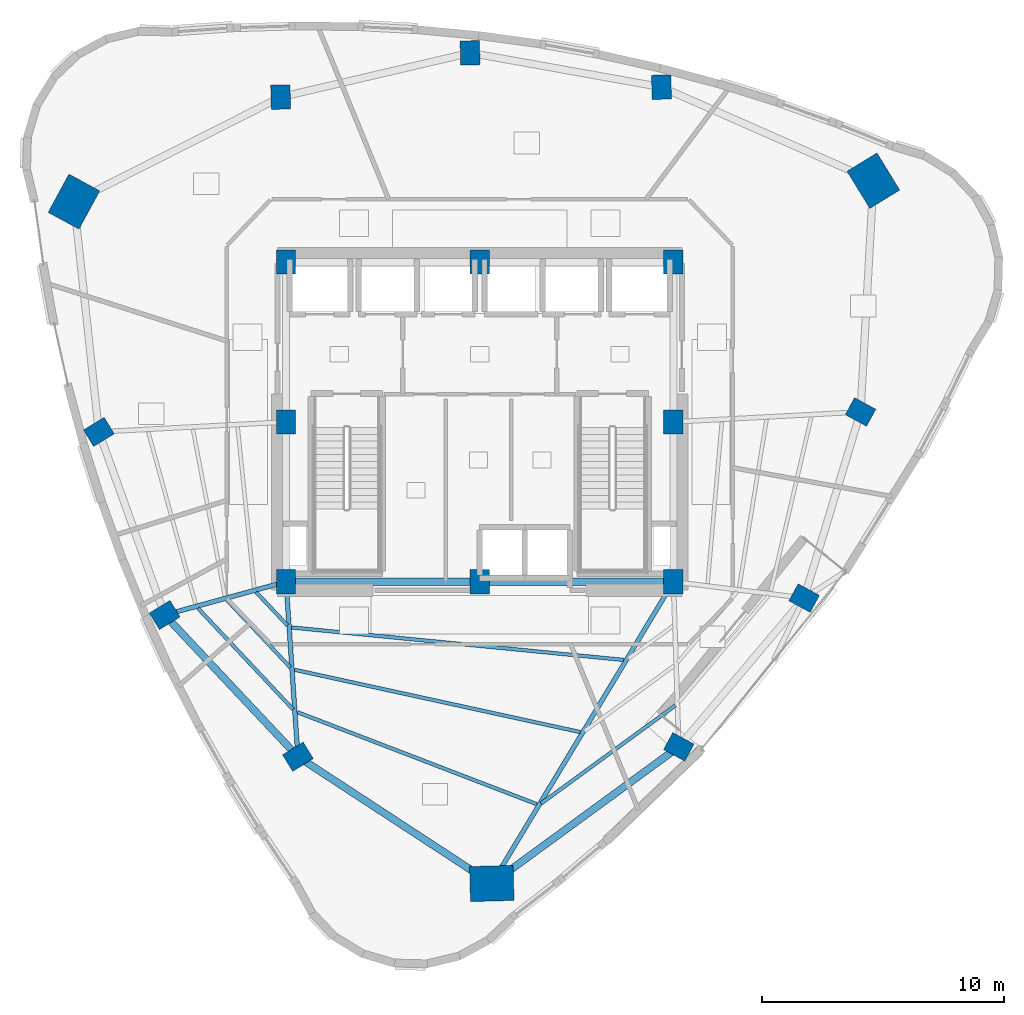
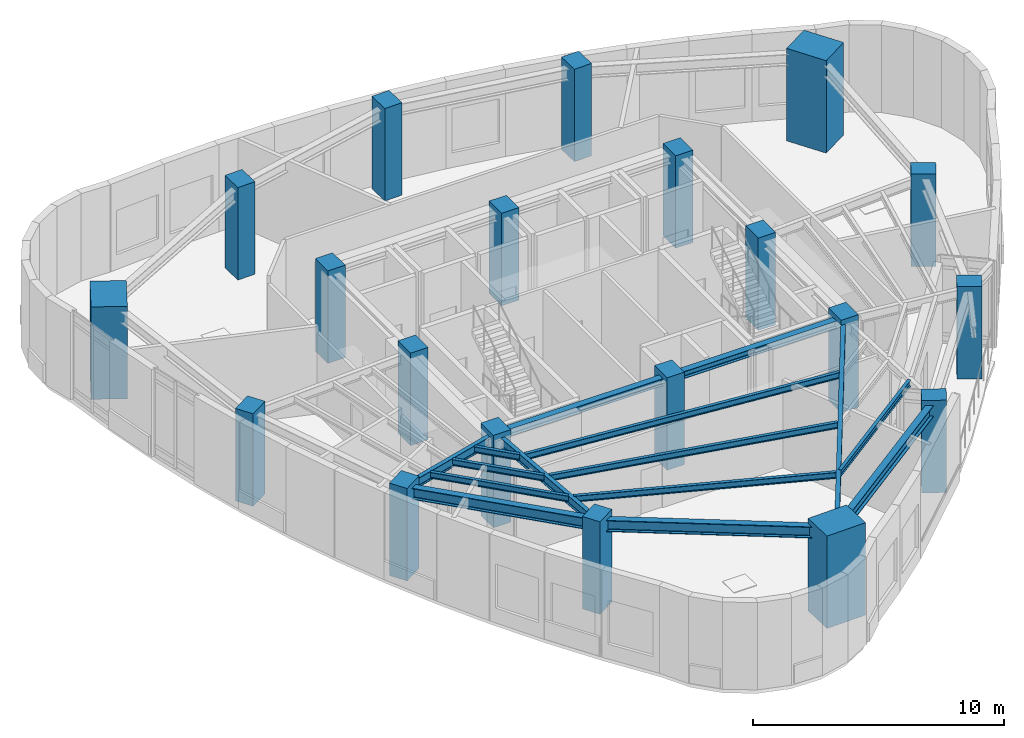
# One storey, part 1 of 14: 20 columns, 15 beams.
"""IFC4 building model written with IfcOpenShell, lengths in metres."""

import ifcopenshell
import ifcopenshell.guid

model = None  # the IFC model being written
_history = None  # IfcOwnerHistory: only IFC2X3 demands one
_inside = {}  # id of a spatial element -> (the spatial element, [elements in it])
_under = {}  # id of a project, library or spatial element -> (it, [spatial elements below it])
_declared = {}  # id of a project -> (the project, [libraries it declares])
_typed = {}  # id of a type object -> (the type object, [elements of that type])
_made_of = {}  # id of a material, layer set ... -> (it, [elements and type objects made of it])


def new_model(schema):
    """Start an empty IFC model of exactly this schema.

    Asked for "IFC4X3", IfcOpenShell would pick the latest addendum, in which some entities
    have other attributes; the version numbers below select the first issue.
    IFC2X3 requires an IfcOwnerHistory on every rooted entity: one is made here for all.
    """
    global model, _history
    if schema == "IFC4X3":
        model = ifcopenshell.file(schema_version=(4, 3, 0, 0))
    else:
        model = ifcopenshell.file(schema=schema)
    _inside.clear()
    _under.clear()
    _declared.clear()
    _typed.clear()
    _made_of.clear()
    _history = None
    if model.schema == "IFC2X3":
        org = make("IfcOrganization", Name="unknown")
        user = make(
            "IfcPersonAndOrganization",
            ThePerson=make("IfcPerson", FamilyName="unknown"),
            TheOrganization=org,
        )
        app = make(
            "IfcApplication",
            ApplicationDeveloper=org,
            Version="unknown",
            ApplicationFullName="unknown",
            ApplicationIdentifier="unknown",
        )
        _history = make(
            "IfcOwnerHistory",
            OwningUser=user,
            OwningApplication=app,
            ChangeAction="ADDED",
            CreationDate=0,
        )
    return model


def make(cls, **values):
    """One entity of the class cls with the attributes given. An attribute that is None is left unset."""
    return model.create_entity(
        cls, **{name: value for name, value in values.items() if value is not None}
    )


def rooted(cls, **values):
    """An entity with a GlobalId (a new one), such as an element, a storey or a relation."""
    return make(cls, GlobalId=ifcopenshell.guid.new(), OwnerHistory=_history, **values)


def si_unit(unit_type, name, prefix=None):
    """IfcSIUnit, for example si_unit("LENGTHUNIT", "METRE", prefix="MILLI")."""
    return make("IfcSIUnit", UnitType=unit_type, Prefix=prefix, Name=name)


def assignment(units):
    """IfcUnitAssignment: the units of a project."""
    return None if units is None else make("IfcUnitAssignment", Units=units)


def point(xyz):
    """IfcCartesianPoint."""
    return None if xyz is None else make("IfcCartesianPoint", Coordinates=xyz)


def direction(xyz):
    """IfcDirection."""
    return None if xyz is None else make("IfcDirection", DirectionRatios=xyz)


def frame(location, z_axis=None, x_axis=None):
    """IfcAxis2Placement3D, a coordinate frame: its origin and axes. An axis left out is left unset."""
    return make(
        "IfcAxis2Placement3D",
        Location=point(location),
        Axis=direction(z_axis),
        RefDirection=direction(x_axis),
    )


def frame_2d(location, x_axis=None):
    """IfcAxis2Placement2D, a coordinate frame in the plane: its origin and x axis."""
    return make(
        "IfcAxis2Placement2D", Location=point(location), RefDirection=direction(x_axis)
    )


def origin():
    """The frame at (0, 0, 0) with its axes left unset."""
    return frame((0.0, 0.0, 0.0))


def origin_2d():
    """The frame at (0, 0) in the plane with its x axis left unset."""
    return frame_2d((0.0, 0.0))


def place(relative_to, where):
    """IfcLocalPlacement: puts the frame where relative to a parent placement (None: the world)."""
    return make(
        "IfcLocalPlacement", PlacementRelTo=relative_to, RelativePlacement=where
    )


def context(
    kind, dimensions, precision=None, world=None, true_north=None, identifier=None
):
    """IfcGeometricRepresentationContext, for example the 3D "Model" context."""
    return make(
        "IfcGeometricRepresentationContext",
        ContextIdentifier=identifier,
        ContextType=kind,
        CoordinateSpaceDimension=dimensions,
        Precision=precision,
        WorldCoordinateSystem=world,
        TrueNorth=true_north,
    )


def subcontext(parent, identifier, kind, view, scale=None):
    """IfcGeometricRepresentationSubContext, for example "Body" below "Model"."""
    return make(
        "IfcGeometricRepresentationSubContext",
        ContextIdentifier=identifier,
        ContextType=kind,
        ParentContext=parent,
        TargetScale=scale,
        TargetView=view,
    )


def project(units=None, contexts=None):
    """IfcProject with its units and contexts."""
    return rooted(
        "IfcProject",
        Name="project",
        RepresentationContexts=contexts,
        UnitsInContext=assignment(units),
    )


def spatial(cls, under=None, at=None, **own):
    """A site, building, storey or space (cls), placed at a placement, below another one or the project."""
    s = rooted(cls, ObjectPlacement=at, **own)
    if under is not None:
        _under.setdefault(under.id(), (under, []))[1].append(s)
    return s


def profile(cls, at=None, kind="AREA", **sizes):
    """A parametric profile (cls). Its sizes go by their IFC names, for example OverallWidth=200.0."""
    return make(cls, ProfileType=kind, Position=at, **sizes)


def rectangle(**sizes):
    """IfcRectangleProfileDef."""
    return profile("IfcRectangleProfileDef", **sizes)


def i_section(**sizes):
    """IfcIShapeProfileDef."""
    return profile("IfcIShapeProfileDef", **sizes)


def extrude(swept, where, along, depth):
    """IfcExtrudedAreaSolid: the profile swept, set in the frame where, extruded along a direction by depth."""
    return make(
        "IfcExtrudedAreaSolid",
        SweptArea=swept,
        Position=where,
        ExtrudedDirection=direction(along),
        Depth=depth,
    )


def shape(context_of_items, identifier, shape_type, items):
    """IfcShapeRepresentation: the items that make up one representation, for example the "Body"."""
    return make(
        "IfcShapeRepresentation",
        ContextOfItems=context_of_items,
        RepresentationIdentifier=identifier,
        RepresentationType=shape_type,
        Items=items,
    )


def material(Name=None, Category=None):
    """IfcMaterial."""
    return make("IfcMaterial", Name=Name, Category=Category)


def material_profile(
    of_material, cross_section, Name=None, Category=None, Priority=None
):
    """IfcMaterialProfile: a cross section and its material."""
    return make(
        "IfcMaterialProfile",
        Name=Name,
        Material=of_material,
        Profile=cross_section,
        Priority=Priority,
        Category=Category,
    )


def profile_set(profiles, Name=None, composite=None):
    """IfcMaterialProfileSet."""
    return make(
        "IfcMaterialProfileSet",
        Name=Name,
        MaterialProfiles=profiles,
        CompositeProfile=composite,
    )


def made_of(thing, what):
    """Note that an element or type object is made of a material, layer set ...; save() writes the relation."""
    if what is not None:
        _made_of.setdefault(what.id(), (what, []))[1].append(thing)
    return thing


def type_object(cls, material=None, **own):
    """A type object (cls), such as IfcWallType, which elements share."""
    return made_of(rooted(cls, **own), material)


def element(
    cls,
    number,
    at=None,
    inside=None,
    cuts=None,
    type_object=None,
    material=None,
    context=None,
    identifier="Body",
    shape_type=None,
    held_by="IfcProductDefinitionShape",
    body=None,
    shapes=None,
    **own,
):
    """One element of the class cls, such as IfcWall. Its Tag is "e" and its number.

    at: its placement. inside: the storey or other place that contains it. cuts: it is an
    opening in that element (IfcRelVoidsElement). A single representation is given by context,
    identifier, shape_type and body (its items); several are given by shapes. held_by: the class
    of the entity that holds the representations. save() writes the other relations.
    """
    e = rooted(cls, Tag="e%d" % number, ObjectPlacement=at, **own)
    if body is not None:
        shapes = [shape(context, identifier, shape_type, body)]
    if shapes is not None:
        e.Representation = make(held_by, Representations=shapes)
    if inside is not None:
        _inside.setdefault(inside.id(), (inside, []))[1].append(e)
    if cuts is not None:
        rooted(
            "IfcRelVoidsElement", RelatingBuildingElement=cuts, RelatedOpeningElement=e
        )
    if type_object is not None:
        _typed.setdefault(type_object.id(), (type_object, []))[1].append(e)
    return made_of(e, material)


def aggregate(whole, parts):
    """IfcRelAggregates: a whole, such as a stair, and the parts it consists of."""
    return rooted("IfcRelAggregates", RelatingObject=whole, RelatedObjects=parts)


def save(model, path):
    """Write the relations noted so far, then the file.

    IfcRelAggregates (storeys below a building ...), IfcRelContainedInSpatialStructure (elements
    in a storey), IfcRelDefinesByType, IfcRelAssociatesMaterial and IfcRelDeclares: one each for
    every whole, place, type object, material and project.
    """
    for whole, parts in _under.values():
        aggregate(whole, parts)
    for where, things in _inside.values():
        rooted(
            "IfcRelContainedInSpatialStructure",
            RelatedElements=things,
            RelatingStructure=where,
        )
    for kind, things in _typed.values():
        rooted("IfcRelDefinesByType", RelatedObjects=things, RelatingType=kind)
    for what, things in _made_of.values():
        rooted("IfcRelAssociatesMaterial", RelatedObjects=things, RelatingMaterial=what)
    for by, libraries in _declared.values():
        rooted("IfcRelDeclares", RelatingContext=by, RelatedDefinitions=libraries)
    model.write(path)


model = new_model("IFC4")

# Units and contexts
model_context = context("Model", 3, precision=1e-05, world=origin(), true_north=direction((0.0, 1.0)))
body_context = subcontext(model_context, "Body", "Model", "MODEL_VIEW")
ifc_project = project(units=[si_unit("LENGTHUNIT", "METRE"), si_unit("AREAUNIT", "SQUARE_METRE"), si_unit("VOLUMEUNIT", "CUBIC_METRE"), si_unit("PLANEANGLEUNIT", "RADIAN"), si_unit("MASSUNIT", "GRAM", prefix="KILO")], contexts=[model_context])

# Site, building, storey
site_placement = place(None, origin())
site = spatial("IfcSite", under=ifc_project, at=site_placement, CompositionType="ELEMENT")
building_placement = place(site_placement, origin())
building = spatial("IfcBuilding", under=site, at=building_placement, Name="Ndelora Gate Hotel", CompositionType="ELEMENT")
storey_placement = place(building_placement, frame((0.0, 0.0, 178.25)))
storey = spatial("IfcBuildingStorey", under=building, at=storey_placement, Name="L44", CompositionType="ELEMENT", Elevation=178.25)

# Columns
ifc_material_1 = material(Name="Concrete C50/60", Category="concrete")
ifc_material_profile_1 = material_profile(ifc_material_1, rectangle(XDim=0.800048828125, YDim=1.0, at=origin_2d()), Name="RC 1000x800")
ifc_profile_set_1 = profile_set([ifc_material_profile_1], Name="Concrete C50/60")
column_type_1 = type_object("IfcColumnType", Name="COL-CC-HI", PredefinedType="COLUMN", material=ifc_profile_set_1)
for number, where, z_axis, x_axis, name in (
    (1, (-8.0, -6.60009765625, 0.0), (0.0, 0.0, 1.0), (1.0, 0.0, 0.0), "L44 Core Column CC1"),
    (2, (0.0, -6.60009765625, 0.0), (0.0, 0.0, 1.0), (1.0, 0.0, 0.0), "L44 Core Column CC2"),
    (3, (8.0, -6.60009765625, 0.0), (0.0, 0.0, 1.0), (1.0, 0.0, 0.0), "L44 Core Column CC3"),
    (4, (8.0, 0.0, 0.0), (0.0, 0.0, 1.0), (1.0, 0.0, 0.0), "L44 Core Column CC4"),
    (5, (8.0, 6.60009765625, 0.0), (0.0, 0.0, 1.0), (1.0, 0.0, 0.0), "L44 Core Column CC5"),
    (6, (0.0, 6.60009765625, 0.0), (0.0, 0.0, 1.0), (1.0, 0.0, 0.0), "L44 Core Column CC6"),
    (7, (-8.0, 6.60009765625, 0.0), (0.0, 0.0, 1.0), (1.0, 0.0, 0.0), "L44 Core Column CC7"),
    (8, (-8.0, 0.0, 0.0), (0.0, 0.0, 1.0), (1.0, 0.0, 0.0), "L44 Core Column CC8"),
):
    element("IfcColumn", number, at=place(storey_placement, frame(where, z_axis=z_axis, x_axis=x_axis)), inside=storey, type_object=column_type_1, Name=name, PredefinedType="COLUMN", context=body_context, shape_type="SweptSolid", body=[
        extrude(rectangle(XDim=0.800048828125, YDim=1.0, at=origin_2d()), origin(), (0.0, 0.0, 1.0), 4.5),
    ])
ifc_material_profile_2 = material_profile(ifc_material_1, rectangle(XDim=1.449951171875, YDim=1.800048828125, at=origin_2d()), Name="RC 1800x1450")
ifc_profile_set_2 = profile_set([ifc_material_profile_2], Name="Concrete C50/60")
column_type_2 = type_object("IfcColumnType", Name="COL-MC-Z3", PredefinedType="COLUMN", material=ifc_profile_set_2)
for number, where, z_axis, x_axis, name in (
    (9, (-16.759521484375, 9.099609375, 0.0), (0.0, 0.0, 1.0), (-0.878817112662, 0.47715876026, 0.0), "L44 Corner Mega-Column R1"),
    (10, (0.499267578125, -19.064208984375, 0.0), (0.0, 0.0, 1.0), (-0.026176948308, 0.999657324976, 0.0), "L44 Corner Mega-Column R5"),
    (11, (16.26025390625, 9.96435546875, 0.0), (0.0, 0.0, 1.0), (0.852640164354, 0.522498564716, 0.0), "L44 Corner Mega-Column R9"),
):
    element("IfcColumn", number, at=place(storey_placement, frame(where, z_axis=z_axis, x_axis=x_axis)), inside=storey, type_object=column_type_2, Name=name, PredefinedType="COLUMN", context=body_context, shape_type="SweptSolid", body=[
        extrude(rectangle(XDim=1.449951171875, YDim=1.800048828125, at=origin_2d()), origin(), (0.0, 0.0, 1.0), 4.5),
    ])
ifc_material_profile_3 = material_profile(ifc_material_1, rectangle(XDim=0.800048828125, YDim=1.0, at=origin_2d()), Name="RC 1000x800")
ifc_profile_set_3 = profile_set([ifc_material_profile_3], Name="Concrete C50/60")
column_type_3 = type_object("IfcColumnType", Name="COL-PT-Z3", PredefinedType="COLUMN", material=ifc_profile_set_3)
for number, where, z_axis, x_axis, name in (
    (12, (-15.72998046875, -0.411865234375, 0.0), (0.0, 0.0, 1.0), (-0.522498564716, 0.852640164354, 0.0), "L44 Perimeter Tube Column R2"),
    (13, (-13.011962890625, -7.973876953125, 0.0), (0.0, 0.0, 1.0), (-0.522498564716, 0.852640164354, 0.0), "L44 Perimeter Tube Column R3"),
    (14, (-7.50830078125, -13.828369140625, 0.0), (0.0, 0.0, 1.0), (-0.522498564716, 0.852640164354, 0.0), "L44 Perimeter Tube Column R4"),
    (15, (8.223876953125, -13.419921875, 0.0), (0.0, 0.0, 1.0), (0.47715876026, 0.878817112662, 0.0), "L44 Perimeter Tube Column R6"),
    (16, (13.400390625, -7.275634765625, 0.0), (0.0, 0.0, 1.0), (0.47715876026, 0.878817112662, 0.0), "L44 Perimeter Tube Column R7"),
    (17, (15.72998046875, 0.411865234375, 0.0), (0.0, 0.0, 1.0), (0.47715876026, 0.878817112662, 0.0), "L44 Perimeter Tube Column R8"),
    (18, (7.50830078125, 13.828369140625, 0.0), (0.0, 0.0, 1.0), (0.999657324976, 0.026176948308, 0.0), "L44 Perimeter Tube Column R10"),
    (19, (-0.399169921875, 15.242919921875, 0.0), (0.0, 0.0, 1.0), (0.999657324976, 0.026176948308, 0.0), "L44 Perimeter Tube Column R11"),
    (20, (-8.2216796875, 13.41650390625, 0.0), (0.0, 0.0, 1.0), (0.999657324976, 0.026176948308, 0.0), "L44 Perimeter Tube Column R12"),
):
    element("IfcColumn", number, at=place(storey_placement, frame(where, z_axis=z_axis, x_axis=x_axis)), inside=storey, type_object=column_type_3, Name=name, PredefinedType="COLUMN", context=body_context, shape_type="SweptSolid", body=[
        extrude(rectangle(XDim=0.800048828125, YDim=1.0, at=origin_2d()), origin(), (0.0, 0.0, 1.0), 4.5),
    ])

# Beams
ifc_material_2 = material(Name="Steel S355", Category="steel")
ifc_material_profile_4 = material_profile(ifc_material_2, i_section(OverallWidth=0.300048828125, OverallDepth=0.35009765625, WebThickness=0.010009765625, FlangeThickness=0.017578125, FilletRadius=0.027099609375, at=origin_2d()), Name="HEA 360")
ifc_profile_set_4 = profile_set([ifc_material_profile_4], Name="Steel S355")
beam_type_1 = type_object("IfcBeamType", Name="BM-CORE-350", PredefinedType="BEAM", material=ifc_profile_set_4)
for number, where, z_axis, x_axis, name in (
    (21, (-8.0, -6.60009765625, 4.074951171875), (1.0, 0.0, 0.0), (0.0, 1.0, 0.0), "L44 Core Tie Girder CC1-CC2"),
    (22, (0.0, -6.60009765625, 4.074951171875), (1.0, 0.0, 0.0), (0.0, 1.0, 0.0), "L44 Core Tie Girder CC2-CC3"),
):
    element("IfcBeam", number, at=place(storey_placement, frame(where, z_axis=z_axis, x_axis=x_axis)), inside=storey, type_object=beam_type_1, Name=name, PredefinedType="BEAM", context=body_context, shape_type="SweptSolid", body=[
        extrude(i_section(OverallWidth=0.300048828125, OverallDepth=0.35009765625, WebThickness=0.010009765625, FlangeThickness=0.017578125, FilletRadius=0.027099609375, at=origin_2d()), origin(), (0.0, 0.0, 1.0), 8.0),
    ])
ifc_material_profile_5 = material_profile(ifc_material_2, i_section(OverallWidth=0.14990234375, OverallDepth=0.300048828125, WebThickness=0.007080078125, FlangeThickness=0.0107421875, FilletRadius=0.014892578125, at=origin_2d()), Name="IPE 300")
ifc_profile_set_5 = profile_set([ifc_material_profile_5], Name="Steel S355")
beam_type_2 = type_object("IfcBeamType", Name="BM-JST-300", PredefinedType="JOIST", material=ifc_profile_set_5)
beam_1_placement = place(storey_placement, frame((-9.231201171875, -7.03369140625, 4.10009765625), z_axis=(0.684943115963, -0.728596546722, 0.0), x_axis=(0.728596546722, 0.684943115963, 0.0)))
element("IfcBeam", 23, at=beam_1_placement, inside=storey, type_object=beam_type_2, Name="L44 Secondary Composite Floor Joist IN-3", PredefinedType="JOIST", context=body_context, shape_type="SweptSolid", body=[
    extrude(i_section(OverallWidth=0.14990234375, OverallDepth=0.300048828125, WebThickness=0.007080078125, FlangeThickness=0.0107421875, FilletRadius=0.014892578125, at=origin_2d()), origin(), (0.0, 0.0, 1.0), 1.879150390625),
])
beam_2_placement = place(storey_placement, frame((-10.43408203125, -7.36328125, 4.10009765625), z_axis=(0.684938600536, -0.728600791584, 0.0), x_axis=(0.728600791584, 0.684938600536, 0.0)))
element("IfcBeam", 24, at=beam_2_placement, inside=storey, type_object=beam_type_2, Name="L44 Secondary Composite Floor Joist MID-3", PredefinedType="JOIST", context=body_context, shape_type="SweptSolid", body=[
    extrude(i_section(OverallWidth=0.14990234375, OverallDepth=0.300048828125, WebThickness=0.007080078125, FlangeThickness=0.0107421875, FilletRadius=0.014892578125, at=origin_2d()), origin(), (0.0, 0.0, 1.0), 3.807861328125),
])
beam_3_placement = place(storey_placement, frame((-11.636962890625, -7.693115234375, 4.10009765625), z_axis=(0.68493576734, -0.728603454986, 0.0), x_axis=(0.728603454986, 0.68493576734, 0.0)))
element("IfcBeam", 25, at=beam_3_placement, inside=storey, type_object=beam_type_2, Name="L44 Secondary Composite Floor Joist OUT-3", PredefinedType="JOIST", context=body_context, shape_type="SweptSolid", body=[
    extrude(i_section(OverallWidth=0.14990234375, OverallDepth=0.300048828125, WebThickness=0.007080078125, FlangeThickness=0.0107421875, FilletRadius=0.014892578125, at=origin_2d()), origin(), (0.0, 0.0, 1.0), 5.736328125),
])
beam_4_placement = place(storey_placement, frame((-7.767578125, -8.489501953125, 4.10009765625), z_axis=(0.995253727902, -0.097314012848, 0.0), x_axis=(0.097314012848, 0.995253727902, 0.0)))
element("IfcBeam", 26, at=beam_4_placement, inside=storey, type_object=beam_type_2, Name="L44 Secondary Composite Floor Joist IN-4", PredefinedType="JOIST", context=body_context, shape_type="SweptSolid", body=[
    extrude(i_section(OverallWidth=0.14990234375, OverallDepth=0.300048828125, WebThickness=0.007080078125, FlangeThickness=0.0107421875, FilletRadius=0.014892578125, at=origin_2d()), origin(), (0.0, 0.0, 1.0), 13.7783203125),
])
beam_5_placement = place(storey_placement, frame((-7.651611328125, -10.236572265625, 4.10009765625), z_axis=(0.977032906758, -0.213088477191, 0.0), x_axis=(0.213088477191, 0.977032906758, 0.0)))
element("IfcBeam", 27, at=beam_5_placement, inside=storey, type_object=beam_type_2, Name="L44 Secondary Composite Floor Joist MID-4", PredefinedType="JOIST", context=body_context, shape_type="SweptSolid", body=[
    extrude(i_section(OverallWidth=0.14990234375, OverallDepth=0.300048828125, WebThickness=0.007080078125, FlangeThickness=0.0107421875, FilletRadius=0.014892578125, at=origin_2d()), origin(), (0.0, 0.0, 1.0), 12.075927734375),
])
beam_6_placement = place(storey_placement, frame((-7.5380859375, -11.98681640625, 4.10009765625), z_axis=(0.933489266504, -0.358605339227, 0.0), x_axis=(0.358605339227, 0.933489266504, 0.0)))
element("IfcBeam", 28, at=beam_6_placement, inside=storey, type_object=beam_type_2, Name="L44 Secondary Composite Floor Joist OUT-4", PredefinedType="JOIST", context=body_context, shape_type="SweptSolid", body=[
    extrude(i_section(OverallWidth=0.14990234375, OverallDepth=0.300048828125, WebThickness=0.007080078125, FlangeThickness=0.0107421875, FilletRadius=0.014892578125, at=origin_2d()), origin(), (0.0, 0.0, 1.0), 10.593994140625),
])
beam_7_placement = place(storey_placement, frame((2.5341796875, -15.761474609375, 4.10009765625), z_axis=(0.807430841486, 0.589962232874, 0.0), x_axis=(-0.589962232874, 0.807430841486, 0.0)))
element("IfcBeam", 29, at=beam_7_placement, inside=storey, type_object=beam_type_2, Name="L44 Secondary Composite Floor Joist OUT-5", PredefinedType="JOIST", context=body_context, shape_type="SweptSolid", body=[
    extrude(i_section(OverallWidth=0.14990234375, OverallDepth=0.300048828125, WebThickness=0.007080078125, FlangeThickness=0.0107421875, FilletRadius=0.014892578125, at=origin_2d()), origin(), (0.0, 0.0, 1.0), 6.869384765625),
])
ifc_material_profile_6 = material_profile(ifc_material_2, i_section(OverallWidth=0.18994140625, OverallDepth=0.449951171875, WebThickness=0.009521484375, FlangeThickness=0.0146484375, FilletRadius=0.02099609375, at=origin_2d()), Name="IPE 450")
ifc_profile_set_6 = profile_set([ifc_material_profile_6], Name="Steel S355")
beam_type_3 = type_object("IfcBeamType", Name="BM-RAD-450", PredefinedType="BEAM", material=ifc_profile_set_6)
beam_8_placement = place(storey_placement, frame((-8.0, -6.60009765625, 4.02490234375), z_axis=(-0.96442695542, -0.264349480157, 0.0), x_axis=(0.264349480157, -0.96442695542, 0.0)))
element("IfcBeam", 30, at=beam_8_placement, inside=storey, type_object=beam_type_3, Name="L44 Radial Floor Girder 3", PredefinedType="BEAM", context=body_context, shape_type="SweptSolid", body=[
    extrude(i_section(OverallWidth=0.18994140625, OverallDepth=0.449951171875, WebThickness=0.009521484375, FlangeThickness=0.0146484375, FilletRadius=0.02099609375, at=origin_2d()), origin(), (0.0, 0.0, 1.0), 5.19677734375),
])
beam_9_placement = place(storey_placement, frame((-8.0, -6.60009765625, 4.02490234375), z_axis=(0.067867612113, -0.997694335569, 0.0), x_axis=(0.997694335569, 0.067867612113, 0.0)))
element("IfcBeam", 31, at=beam_9_placement, inside=storey, type_object=beam_type_3, Name="L44 Radial Floor Girder 4", PredefinedType="BEAM", context=body_context, shape_type="SweptSolid", body=[
    extrude(i_section(OverallWidth=0.18994140625, OverallDepth=0.449951171875, WebThickness=0.009521484375, FlangeThickness=0.0146484375, FilletRadius=0.02099609375, at=origin_2d()), origin(), (0.0, 0.0, 1.0), 7.244873046875),
])
beam_10_placement = place(storey_placement, frame((8.0, -6.60009765625, 4.02490234375), z_axis=(-0.515620753203, -0.856816922607, 0.0), x_axis=(0.856816922607, -0.515620753203, 0.0)))
element("IfcBeam", 32, at=beam_10_placement, inside=storey, type_object=beam_type_3, Name="L44 Radial Floor Girder 5", PredefinedType="BEAM", context=body_context, shape_type="SweptSolid", body=[
    extrude(i_section(OverallWidth=0.18994140625, OverallDepth=0.449951171875, WebThickness=0.009521484375, FlangeThickness=0.0146484375, FilletRadius=0.02099609375, at=origin_2d()), origin(), (0.0, 0.0, 1.0), 14.546875),
])
ifc_material_profile_7 = material_profile(ifc_material_2, i_section(OverallWidth=0.300048828125, OverallDepth=0.550048828125, WebThickness=0.014892578125, FlangeThickness=0.029052734375, FilletRadius=0.027099609375, at=origin_2d()), Name="HEB 550")
ifc_profile_set_7 = profile_set([ifc_material_profile_7], Name="Steel S355")
beam_type_4 = type_object("IfcBeamType", Name="BM-RING-550", PredefinedType="SPANDREL", material=ifc_profile_set_7)
beam_11_placement = place(storey_placement, frame((-13.011962890625, -7.973876953125, 3.97509765625), z_axis=(0.684939043371, -0.728600375285, 0.0), x_axis=(0.728600375285, 0.684939043371, 0.0)))
element("IfcBeam", 33, at=beam_11_placement, inside=storey, type_object=beam_type_4, Name="L44 Perimeter Spandrel Girder 3", PredefinedType="SPANDREL", context=body_context, shape_type="SweptSolid", body=[
    extrude(i_section(OverallWidth=0.300048828125, OverallDepth=0.550048828125, WebThickness=0.014892578125, FlangeThickness=0.029052734375, FilletRadius=0.027099609375, at=origin_2d()), origin(), (0.0, 0.0, 1.0), 8.03515625),
])
beam_12_placement = place(storey_placement, frame((-7.50830078125, -13.828369140625, 3.97509765625), z_axis=(0.836963769915, -0.547258300851, 0.0), x_axis=(0.547258300851, 0.836963769915, 0.0)))
element("IfcBeam", 34, at=beam_12_placement, inside=storey, type_object=beam_type_4, Name="L44 Perimeter Spandrel Girder 4", PredefinedType="SPANDREL", context=body_context, shape_type="SweptSolid", body=[
    extrude(i_section(OverallWidth=0.300048828125, OverallDepth=0.550048828125, WebThickness=0.014892578125, FlangeThickness=0.029052734375, FilletRadius=0.027099609375, at=origin_2d()), origin(), (0.0, 0.0, 1.0), 9.5673828125),
])
beam_13_placement = place(storey_placement, frame((0.499267578125, -19.064208984375, 3.97509765625), z_axis=(0.807421980226, 0.58997436033, 0.0), x_axis=(-0.58997436033, 0.807421980226, 0.0)))
element("IfcBeam", 35, at=beam_13_placement, inside=storey, type_object=beam_type_4, Name="L44 Perimeter Spandrel Girder 5", PredefinedType="SPANDREL", context=body_context, shape_type="SweptSolid", body=[
    extrude(i_section(OverallWidth=0.300048828125, OverallDepth=0.550048828125, WebThickness=0.014892578125, FlangeThickness=0.029052734375, FilletRadius=0.027099609375, at=origin_2d()), origin(), (0.0, 0.0, 1.0), 9.56689453125),
])

save(model, "model.ifc")
